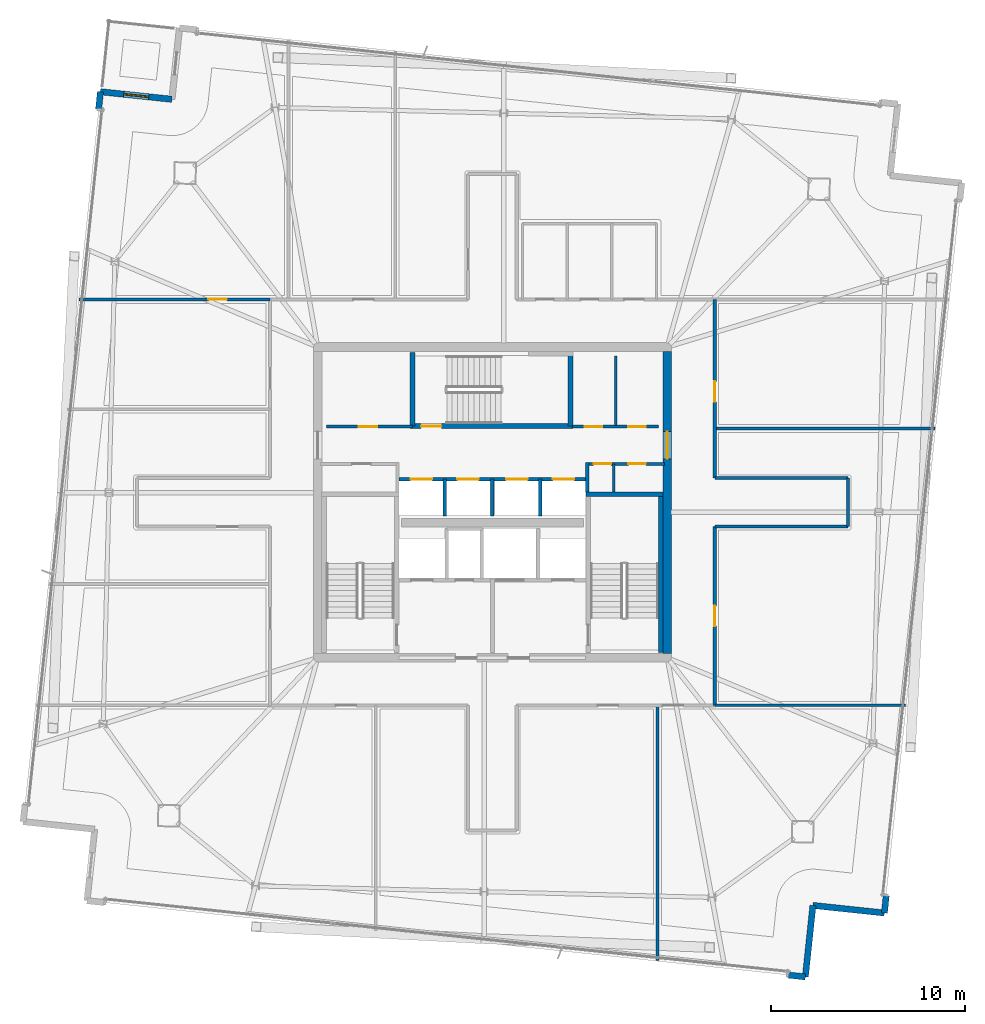
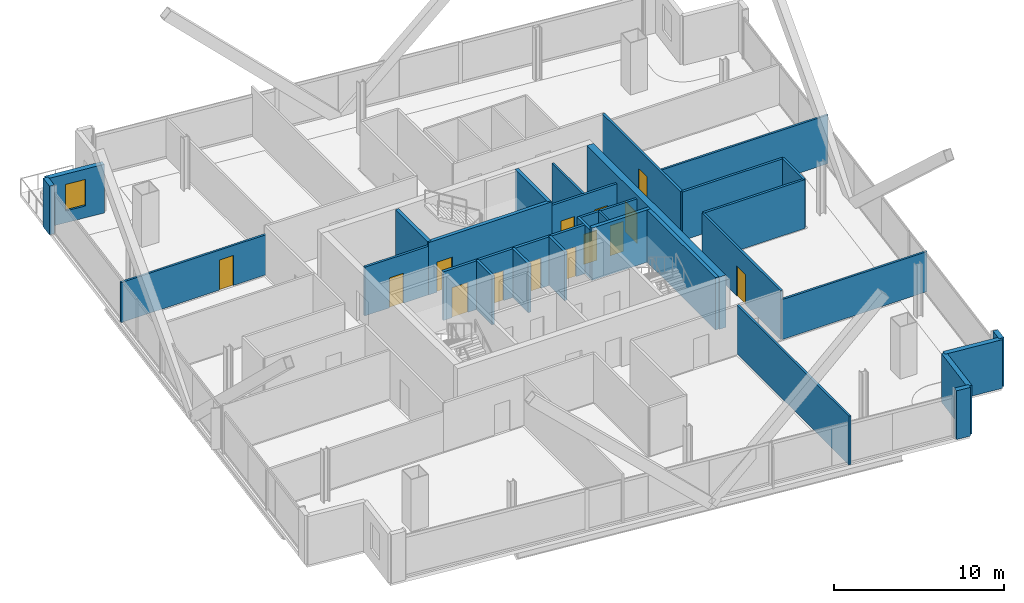
# One storey, part 20 of 24: 31 walls, 14 doors, 1 window, 15 openings.
"""IFC4 building model written with IfcOpenShell, lengths in metres."""

from ifc_helpers import new_model, si_unit, direction, frame, frame_2d, origin, place, context, subcontext, project, spatial, rectangle, extrude, material, layer, layer_set, type_object, element, fill, save


model = new_model("IFC4")

# Units and contexts
model_context = context("Model", 3, precision=1e-05, world=origin(), true_north=direction((0.0, 1.0)))
body_context = subcontext(model_context, "Body", "Model", "MODEL_VIEW")
ifc_project = project(units=[si_unit("LENGTHUNIT", "METRE"), si_unit("AREAUNIT", "SQUARE_METRE"), si_unit("VOLUMEUNIT", "CUBIC_METRE"), si_unit("PLANEANGLEUNIT", "RADIAN"), si_unit("MASSUNIT", "GRAM", prefix="KILO")], contexts=[model_context])

# Site, building, storey
site_placement = place(None, origin())
site = spatial("IfcSite", under=ifc_project, at=site_placement, CompositionType="ELEMENT")
building_placement = place(site_placement, origin())
building = spatial("IfcBuilding", under=site, at=building_placement, Name="Haldenkirk Collegiate Tower", CompositionType="ELEMENT")
storey_placement = place(building_placement, frame((0.0, 0.0, 310.199951171875)))
storey = spatial("IfcBuildingStorey", under=building, at=storey_placement, Name="L78", CompositionType="ELEMENT", Elevation=310.199951171875)

# Wall, opening, door
ifc_material_1 = material(Name="Concrete f'c 55 MPa", Category="concrete")
ifc_layer_1 = layer(ifc_material_1, 0.449951171875)
ifc_layer_set_1 = layer_set([ifc_layer_1], Name="Concrete f'c 55 MPa")
wall_type_1 = type_object("IfcWallType", Name="WL-CORE-450", PredefinedType="SHEAR", material=ifc_layer_set_1)
wall_1_placement = place(storey_placement, frame((45.0, 18.22509765625, 0.0), z_axis=(0.0, 0.0, 1.0), x_axis=(0.0, 1.0, 0.0)))
wall_1 = element("IfcWall", 1, at=wall_1_placement, inside=storey, type_object=wall_type_1, Name="L78 central core shear wall E", PredefinedType="SHEAR", context=body_context, shape_type="SweptSolid", body=[
    extrude(rectangle(XDim=15.5498046875, YDim=0.449951171875, at=frame_2d((7.77490234375, 0.0))), origin(), (0.0, 0.0, 1.0), 3.75),
])
opening_1_placement = place(wall_1_placement, frame((10.014892578125, 0.0, 0.0)))
opening_1 = element("IfcOpeningElement", 2, at=opening_1_placement, cuts=wall_1, Name="Opening D-03", PredefinedType="OPENING", context=body_context, shape_type="SweptSolid", body=[
    extrude(rectangle(XDim=1.39990234375, YDim=2.199951171875, at=frame_2d((0.699951171875, 1.10009765625))), frame((0.0, 0.23486328125, 0.0), z_axis=(0.0, -1.0, 0.0), x_axis=(1.0, 0.0, 0.0)), (0.0, 0.0, 1.0), 0.469970703125),
])
ifc_material_2 = material(Name="Galvanized fire-rated hollow steel door", Category="steel")
ifc_layer_2 = layer(ifc_material_2, 0.06005859375)
ifc_layer_set_2 = layer_set([ifc_layer_2], Name="Galvanized fire-rated hollow steel door")
door_type_1 = type_object("IfcDoorType", Name="DR-LOBBY-FD90-1400", OperationType="NOTDEFINED", PredefinedType="DOOR", material=ifc_layer_set_2)
door_1_placement = place(opening_1_placement, origin())
door_1 = element("IfcDoor", 3, at=door_1_placement, inside=storey, type_object=door_type_1, Name="L78 east lift lobby portal", OperationType="DOUBLE_DOOR_SINGLE_SWING", OverallHeight=2.199951171875, OverallWidth=1.39990234375, PredefinedType="DOOR", context=body_context, shape_type="SweptSolid", body=[
    extrude(rectangle(XDim=1.39990234375, YDim=2.199951171875, at=frame_2d((0.699951171875, 1.10009765625))), frame((0.0, 0.02490234375, 0.0), z_axis=(0.0, -1.0, 0.0), x_axis=(1.0, 0.0, 0.0)), (0.0, 0.0, 1.0), 0.050048828125),
])
fill(opening_1, door_1)

# Wall
ifc_material_3 = material(Name="Precast concrete f'c 40 MPa", Category="concrete")
ifc_layer_3 = layer(ifc_material_3, 0.320068359375)
ifc_layer_set_3 = layer_set([ifc_layer_3], Name="Precast concrete f'c 40 MPa")
wall_type_2 = type_object("IfcWallType", Name="WL-EXT-TWR-320", PredefinedType="STANDARD", material=ifc_layer_set_3)
wall_2_placement = place(storey_placement, frame((56.27880859375, 5.75, 0.0), z_axis=(0.0, 0.0, 1.0), x_axis=(-0.105517832198, -0.994417410894, 0.0)))
element("IfcWall", 4, at=wall_2_placement, inside=storey, type_object=wall_type_2, Name="L78 precast corner pier SR", PredefinedType="STANDARD", context=body_context, shape_type="SweptSolid", body=[
    extrude(rectangle(XDim=0.900146484375, YDim=0.320068359375, at=frame_2d((0.4501953125, 0.0))), origin(), (0.0, 0.0, 1.0), 3.489990234375),
])

# Wall, opening, window
wall_3_placement = place(storey_placement, frame((15.816162109375, 47.14501953125, 0.0), z_axis=(0.0, 0.0, 1.0), x_axis=(0.994432541402, -0.105375142235, 0.0)))
wall_3 = element("IfcWall", 5, at=wall_3_placement, inside=storey, type_object=wall_type_2, Name="L78 bronze precast notch wall 06", PredefinedType="STANDARD", context=body_context, shape_type="SweptSolid", body=[
    extrude(rectangle(XDim=3.699951171875, YDim=0.320068359375, at=frame_2d((1.85009765625, 0.0))), origin(), (0.0, 0.0, 1.0), 3.489990234375),
])
opening_2_placement = place(wall_3_placement, frame((1.199951171875, 0.0, 0.85009765625)))
opening_2 = element("IfcOpeningElement", 6, at=opening_2_placement, cuts=wall_3, Name="Opening W-08", PredefinedType="OPENING", context=body_context, shape_type="SweptSolid", body=[
    extrude(rectangle(XDim=1.300048828125, YDim=1.89990234375, at=frame_2d((0.64990234375, 0.949951171875))), frame((0.0, 0.169921875, 0.0), z_axis=(0.0, -1.0, 0.0), x_axis=(1.0, 0.0, 0.0)), (0.0, 0.0, 1.0), 0.340087890625),
])
ifc_material_4 = material(Name="Low-E argon triple insulating glass", Category="glass")
ifc_layer_4 = layer(ifc_material_4, 0.090087890625)
ifc_layer_set_4 = layer_set([ifc_layer_4], Name="Low-E argon triple insulating glass")
window_type = type_object("IfcWindowType", Name="WN-Z6-1300X1900", PartitioningType="SINGLE_PANEL", PredefinedType="WINDOW", material=ifc_layer_set_4)
window_placement = place(opening_2_placement, origin())
window = element("IfcWindow", 7, at=window_placement, inside=storey, type_object=window_type, Name="L78 precast-frame academic window 5", OverallHeight=1.89990234375, OverallWidth=1.300048828125, PartitioningType="SINGLE_PANEL", PredefinedType="WINDOW", context=body_context, shape_type="SweptSolid", body=[
    extrude(rectangle(XDim=1.300048828125, YDim=1.89990234375, at=frame_2d((0.64990234375, 0.949951171875))), frame((0.0, 0.030029296875, 0.0), z_axis=(0.0, -1.0, 0.0), x_axis=(1.0, 0.0, 0.0)), (0.0, 0.0, 1.0), 0.06005859375),
])
fill(opening_2, window)

# Walls
for number, where, z_axis, x_axis, name in (
    (8, (15.72119140625, 46.25, 0.0), (0.0, 0.0, 1.0), (0.105517832198, 0.994417410894, 0.0), "L78 precast corner pier NR"),
    (9, (52.114501953125, 1.5654296875, 0.0), (0.0, 0.0, 1.0), (-0.994417410894, 0.105517832198, 0.0), "L78 precast corner pier WL"),
):
    element("IfcWall", number, at=place(storey_placement, frame(where, z_axis=z_axis, x_axis=x_axis)), inside=storey, type_object=wall_type_2, Name=name, PredefinedType="STANDARD", context=body_context, shape_type="SweptSolid", body=[
        extrude(rectangle(XDim=0.900146484375, YDim=0.320068359375, at=frame_2d((0.4501953125, 0.0))), origin(), (0.0, 0.0, 1.0), 3.489990234375),
    ])
for number, where, z_axis, x_axis, name in (
    (10, (52.50439453125, 5.244873046875, 0.0), (0.0, 0.0, 1.0), (-0.105375142235, -0.994432541402, 0.0), "L78 bronze precast notch wall 11"),
    (11, (56.183837890625, 4.85498046875, 0.0), (0.0, 0.0, 1.0), (-0.994432541402, 0.105375142235, 0.0), "L78 bronze precast notch wall 12"),
):
    element("IfcWall", number, at=place(storey_placement, frame(where, z_axis=z_axis, x_axis=x_axis)), inside=storey, type_object=wall_type_2, Name=name, PredefinedType="STANDARD", context=body_context, shape_type="SweptSolid", body=[
        extrude(rectangle(XDim=3.699951171875, YDim=0.320068359375, at=frame_2d((1.85009765625, 0.0))), origin(), (0.0, 0.0, 1.0), 3.489990234375),
    ])

# Wall, openings, doors
ifc_material_5 = material(Name="Acoustic fire-rated gypsum partition", Category="concrete")
ifc_layer_5 = layer(ifc_material_5, 0.159912109375)
ifc_layer_set_5 = layer_set([ifc_layer_5], Name="Acoustic fire-rated gypsum partition")
wall_type_3 = type_object("IfcWallType", Name="WL-INT-CORR-160", PredefinedType="PARTITIONING", material=ifc_layer_set_5)
wall_4_placement = place(storey_placement, frame((40.800048828125, 27.97998046875, 0.0), z_axis=(0.0, 0.0, 1.0), x_axis=(1.0, 0.0, 0.0)))
wall_4 = element("IfcWall", 12, at=wall_4_placement, inside=storey, type_object=wall_type_3, Name="L78 interior partition IW-L78-VCSE-N", PredefinedType="PARTITIONING", context=body_context, shape_type="SweptSolid", body=[
    extrude(rectangle(XDim=4.050048828125, YDim=0.159912109375, at=frame_2d((2.02490234375, 0.0))), origin(), (0.0, 0.0, 1.0), 3.489990234375),
])
opening_3_placement = place(wall_4_placement, frame((0.407470703125, 0.0, 0.0)))
opening_3 = element("IfcOpeningElement", 13, at=opening_3_placement, cuts=wall_4, Name="Opening D-11", PredefinedType="OPENING", context=body_context, shape_type="SweptSolid", body=[
    extrude(rectangle(XDim=0.89990234375, YDim=2.14990234375, at=frame_2d((0.449951171875, 1.074951171875))), frame((0.0, 0.08984375, 0.0), z_axis=(0.0, -1.0, 0.0), x_axis=(1.0, 0.0, 0.0)), (0.0, 0.0, 1.0), 0.179931640625),
])
opening_4_placement = place(wall_4_placement, frame((2.199951171875, 0.0, 0.0)))
opening_4 = element("IfcOpeningElement", 14, at=opening_4_placement, cuts=wall_4, Name="Opening D-11", PredefinedType="OPENING", context=body_context, shape_type="SweptSolid", body=[
    extrude(rectangle(XDim=0.89990234375, YDim=2.14990234375, at=frame_2d((0.449951171875, 1.074951171875))), frame((0.0, 0.08984375, 0.0), z_axis=(0.0, -1.0, 0.0), x_axis=(1.0, 0.0, 0.0)), (0.0, 0.0, 1.0), 0.179931640625),
])
ifc_material_6 = material(Name="Solid-core architectural oak fire door", Category="wood")
ifc_layer_6 = layer(ifc_material_6, 0.06005859375)
ifc_layer_set_6 = layer_set([ifc_layer_6], Name="Solid-core architectural oak fire door")
door_type_2 = type_object("IfcDoorType", Name="DR-INT-FD60-900", OperationType="NOTDEFINED", PredefinedType="DOOR", material=ifc_layer_set_6)
door_2_placement = place(opening_3_placement, origin())
door_2 = element("IfcDoor", 15, at=door_2_placement, inside=storey, type_object=door_type_2, Name="L78 core copy room door", OperationType="SINGLE_SWING_LEFT", OverallHeight=2.14990234375, OverallWidth=0.89990234375, PredefinedType="DOOR", context=body_context, shape_type="SweptSolid", body=[
    extrude(rectangle(XDim=0.89990234375, YDim=2.14990234375, at=frame_2d((0.449951171875, 1.074951171875))), frame((0.0, 0.02490234375, 0.0), z_axis=(0.0, -1.0, 0.0), x_axis=(1.0, 0.0, 0.0)), (0.0, 0.0, 1.0), 0.050048828125),
])
fill(opening_3, door_2)
door_3_placement = place(opening_4_placement, origin())
door_3 = element("IfcDoor", 16, at=door_3_placement, inside=storey, type_object=door_type_2, Name="L78 core records store door", OperationType="SINGLE_SWING_RIGHT", OverallHeight=2.14990234375, OverallWidth=0.89990234375, PredefinedType="DOOR", context=body_context, shape_type="SweptSolid", body=[
    extrude(rectangle(XDim=0.89990234375, YDim=2.14990234375, at=frame_2d((0.449951171875, 1.074951171875))), frame((0.0, 0.02490234375, 0.0), z_axis=(0.0, -1.0, 0.0), x_axis=(1.0, 0.0, 0.0)), (0.0, 0.0, 1.0), 0.050048828125),
])
fill(opening_4, door_3)

# Wall
wall_5_placement = place(storey_placement, frame((40.8798828125, 26.5400390625, 0.0), z_axis=(0.0, 0.0, 1.0), x_axis=(0.0, 1.0, 0.0)))
element("IfcWall", 17, at=wall_5_placement, inside=storey, type_object=wall_type_3, Name="L78 interior partition IW-L78-VCSE-W", PredefinedType="PARTITIONING", context=body_context, shape_type="SweptSolid", body=[
    extrude(rectangle(XDim=1.510009765625, YDim=0.159912109375, at=frame_2d((0.7548828125, 0.0))), origin(), (0.0, 0.0, 1.0), 3.489990234375),
])

# Wall, opening, door
wall_6_placement = place(storey_placement, frame((27.449951171875, 29.89990234375, 0.0), z_axis=(0.0, 0.0, 1.0), x_axis=(1.0, 0.0, 0.0)))
wall_6 = element("IfcWall", 18, at=wall_6_placement, inside=storey, type_object=wall_type_3, Name="L78 interior partition IW-L78-PLS", PredefinedType="PARTITIONING", context=body_context, shape_type="SweptSolid", body=[
    extrude(rectangle(XDim=4.429931640625, YDim=0.159912109375, at=frame_2d((2.21484375, 0.0))), origin(), (0.0, 0.0, 1.0), 3.489990234375),
])
opening_5_placement = place(wall_6_placement, frame((1.675048828125, 0.0, 0.0)))
opening_5 = element("IfcOpeningElement", 19, at=opening_5_placement, cuts=wall_6, Name="Opening D-10", PredefinedType="OPENING", context=body_context, shape_type="SweptSolid", body=[
    extrude(rectangle(XDim=0.949951171875, YDim=2.14990234375, at=frame_2d((0.47509765625, 1.074951171875))), frame((0.0, 0.08984375, 0.0), z_axis=(0.0, -1.0, 0.0), x_axis=(1.0, 0.0, 0.0)), (0.0, 0.0, 1.0), 0.179931640625),
])
ifc_layer_7 = layer(ifc_material_6, 0.06005859375)
ifc_layer_set_7 = layer_set([ifc_layer_7], Name="Solid-core architectural oak fire door")
door_type_3 = type_object("IfcDoorType", Name="DR-INT-FD60-950", OperationType="NOTDEFINED", PredefinedType="DOOR", material=ifc_layer_set_7)
door_4_placement = place(opening_5_placement, origin())
door_4 = element("IfcDoor", 20, at=door_4_placement, inside=storey, type_object=door_type_3, Name="L78 archive door", OperationType="SINGLE_SWING_LEFT", OverallHeight=2.14990234375, OverallWidth=0.949951171875, PredefinedType="DOOR", context=body_context, shape_type="SweptSolid", body=[
    extrude(rectangle(XDim=0.949951171875, YDim=2.14990234375, at=frame_2d((0.47509765625, 1.074951171875))), frame((0.0, 0.02490234375, 0.0), z_axis=(0.0, -1.0, 0.0), x_axis=(1.0, 0.0, 0.0)), (0.0, 0.0, 1.0), 0.050048828125),
])
fill(opening_5, door_4)

# Wall, openings, doors
wall_7_placement = place(storey_placement, frame((40.1201171875, 29.89990234375, 0.0), z_axis=(0.0, 0.0, 1.0), x_axis=(1.0, 0.0, 0.0)))
wall_7 = element("IfcWall", 21, at=wall_7_placement, inside=storey, type_object=wall_type_3, Name="L78 interior partition IW-L78-PMS", PredefinedType="PARTITIONING", context=body_context, shape_type="SweptSolid", body=[
    extrude(rectangle(XDim=4.429931640625, YDim=0.159912109375, at=frame_2d((2.21484375, 0.0))), origin(), (0.0, 0.0, 1.0), 3.489990234375),
])
opening_6_placement = place(wall_7_placement, frame((0.6298828125, 0.0, 0.0)))
opening_6 = element("IfcOpeningElement", 22, at=opening_6_placement, cuts=wall_7, Name="Opening D-11", PredefinedType="OPENING", context=body_context, shape_type="SweptSolid", body=[
    extrude(rectangle(XDim=0.89990234375, YDim=2.14990234375, at=frame_2d((0.449951171875, 1.074951171875))), frame((0.0, 0.08984375, 0.0), z_axis=(0.0, -1.0, 0.0), x_axis=(1.0, 0.0, 0.0)), (0.0, 0.0, 1.0), 0.179931640625),
])
opening_7_placement = place(wall_7_placement, frame((2.8798828125, 0.0, 0.0)))
opening_7 = element("IfcOpeningElement", 23, at=opening_7_placement, cuts=wall_7, Name="Opening D-11", PredefinedType="OPENING", context=body_context, shape_type="SweptSolid", body=[
    extrude(rectangle(XDim=0.89990234375, YDim=2.14990234375, at=frame_2d((0.449951171875, 1.074951171875))), frame((0.0, 0.08984375, 0.0), z_axis=(0.0, -1.0, 0.0), x_axis=(1.0, 0.0, 0.0)), (0.0, 0.0, 1.0), 0.179931640625),
])
door_5_placement = place(opening_6_placement, origin())
door_5 = element("IfcDoor", 24, at=door_5_placement, inside=storey, type_object=door_type_2, Name="L78 staff WC door", OperationType="SINGLE_SWING_RIGHT", OverallHeight=2.14990234375, OverallWidth=0.89990234375, PredefinedType="DOOR", context=body_context, shape_type="SweptSolid", body=[
    extrude(rectangle(XDim=0.89990234375, YDim=2.14990234375, at=frame_2d((0.449951171875, 1.074951171875))), frame((0.0, 0.02490234375, 0.0), z_axis=(0.0, -1.0, 0.0), x_axis=(1.0, 0.0, 0.0)), (0.0, 0.0, 1.0), 0.050048828125),
])
fill(opening_6, door_5)
door_6_placement = place(opening_7_placement, origin())
door_6 = element("IfcDoor", 25, at=door_6_placement, inside=storey, type_object=door_type_2, Name="L78 seminar alcove door", OperationType="SINGLE_SWING_LEFT", OverallHeight=2.14990234375, OverallWidth=0.89990234375, PredefinedType="DOOR", context=body_context, shape_type="SweptSolid", body=[
    extrude(rectangle(XDim=0.89990234375, YDim=2.14990234375, at=frame_2d((0.449951171875, 1.074951171875))), frame((0.0, 0.02490234375, 0.0), z_axis=(0.0, -1.0, 0.0), x_axis=(1.0, 0.0, 0.0)), (0.0, 0.0, 1.0), 0.050048828125),
])
fill(opening_7, door_6)

# Wall, opening, door
wall_8_placement = place(storey_placement, frame((47.449951171875, 15.550048828125, 0.0), z_axis=(0.0, 0.0, 1.0), x_axis=(0.0, 1.0, 0.0)))
wall_8 = element("IfcWall", 26, at=wall_8_placement, inside=storey, type_object=wall_type_3, Name="L78 interior partition IW-L78-CE1", PredefinedType="PARTITIONING", context=body_context, shape_type="SweptSolid", body=[
    extrude(rectangle(XDim=9.199951171875, YDim=0.159912109375, at=frame_2d((4.60009765625, 0.0))), origin(), (0.0, 0.0, 1.0), 3.489990234375),
])
opening_8_placement = place(wall_8_placement, frame((4.074951171875, 0.0, 0.0)))
opening_8 = element("IfcOpeningElement", 27, at=opening_8_placement, cuts=wall_8, Name="Opening D-09", PredefinedType="OPENING", context=body_context, shape_type="SweptSolid", body=[
    extrude(rectangle(XDim=1.050048828125, YDim=2.14990234375, at=frame_2d((0.52490234375, 1.074951171875))), frame((0.0, 0.08984375, 0.0), z_axis=(0.0, -1.0, 0.0), x_axis=(1.0, 0.0, 0.0)), (0.0, 0.0, 1.0), 0.179931640625),
])
ifc_layer_8 = layer(ifc_material_6, 0.06005859375)
ifc_layer_set_8 = layer_set([ifc_layer_8], Name="Solid-core architectural oak fire door")
door_type_4 = type_object("IfcDoorType", Name="DR-INT-FD60-1050", OperationType="NOTDEFINED", PredefinedType="DOOR", material=ifc_layer_set_8)
door_7_placement = place(opening_8_placement, origin())
door_7 = element("IfcDoor", 28, at=door_7_placement, inside=storey, type_object=door_type_4, Name="L78 Graduate Seminar Room 10 door", OperationType="SINGLE_SWING_RIGHT", OverallHeight=2.14990234375, OverallWidth=1.050048828125, PredefinedType="DOOR", context=body_context, shape_type="SweptSolid", body=[
    extrude(rectangle(XDim=1.050048828125, YDim=2.14990234375, at=frame_2d((0.52490234375, 1.074951171875))), frame((0.0, 0.02490234375, 0.0), z_axis=(0.0, -1.0, 0.0), x_axis=(1.0, 0.0, 0.0)), (0.0, 0.0, 1.0), 0.050048828125),
])
fill(opening_8, door_7)

wall_9_placement = place(storey_placement, frame((47.449951171875, 27.25, 0.0), z_axis=(0.0, 0.0, 1.0), x_axis=(0.0, 1.0, 0.0)))
wall_9 = element("IfcWall", 29, at=wall_9_placement, inside=storey, type_object=wall_type_3, Name="L78 interior partition IW-L78-CE2", PredefinedType="PARTITIONING", context=body_context, shape_type="SweptSolid", body=[
    extrude(rectangle(XDim=9.199951171875, YDim=0.159912109375, at=frame_2d((4.60009765625, 0.0))), origin(), (0.0, 0.0, 1.0), 3.489990234375),
])
opening_9_placement = place(wall_9_placement, frame((3.927001953125, 0.0, 0.0)))
opening_9 = element("IfcOpeningElement", 30, at=opening_9_placement, cuts=wall_9, Name="Opening D-09", PredefinedType="OPENING", context=body_context, shape_type="SweptSolid", body=[
    extrude(rectangle(XDim=1.050048828125, YDim=2.14990234375, at=frame_2d((0.52490234375, 1.074951171875))), frame((0.0, 0.08984375, 0.0), z_axis=(0.0, -1.0, 0.0), x_axis=(1.0, 0.0, 0.0)), (0.0, 0.0, 1.0), 0.179931640625),
])
door_8_placement = place(opening_9_placement, origin())
door_8 = element("IfcDoor", 31, at=door_8_placement, inside=storey, type_object=door_type_4, Name="L78 Colloquium Conference Room 11 door", OperationType="SINGLE_SWING_LEFT", OverallHeight=2.14990234375, OverallWidth=1.050048828125, PredefinedType="DOOR", context=body_context, shape_type="SweptSolid", body=[
    extrude(rectangle(XDim=1.050048828125, YDim=2.14990234375, at=frame_2d((0.52490234375, 1.074951171875))), frame((0.0, 0.02490234375, 0.0), z_axis=(0.0, -1.0, 0.0), x_axis=(1.0, 0.0, 0.0)), (0.0, 0.0, 1.0), 0.050048828125),
])
fill(opening_9, door_8)

# Walls
for number, where, z_axis, x_axis, name in (
    (32, (47.449951171875, 24.75, 0.0), (0.0, 0.0, 1.0), (1.0, 0.0, 0.0), "L78 interior partition IW-L78-EPS"),
    (33, (47.449951171875, 27.25, 0.0), (0.0, 0.0, 1.0), (1.0, 0.0, 0.0), "L78 interior partition IW-L78-EPN"),
):
    element("IfcWall", number, at=place(storey_placement, frame(where, z_axis=z_axis, x_axis=x_axis)), inside=storey, type_object=wall_type_3, Name=name, PredefinedType="PARTITIONING", context=body_context, shape_type="SweptSolid", body=[
        extrude(rectangle(XDim=6.85009765625, YDim=0.159912109375, at=frame_2d((3.425048828125, 0.0))), origin(), (0.0, 0.0, 1.0), 3.489990234375),
    ])
wall_10_placement = place(storey_placement, frame((54.300048828125, 24.75, 0.0), z_axis=(0.0, 0.0, 1.0), x_axis=(0.0, 1.0, 0.0)))
element("IfcWall", 34, at=wall_10_placement, inside=storey, type_object=wall_type_3, Name="L78 interior partition IW-L78-EPE", PredefinedType="PARTITIONING", context=body_context, shape_type="SweptSolid", body=[
    extrude(rectangle(XDim=2.5, YDim=0.159912109375, at=frame_2d((1.25, 0.0))), origin(), (0.0, 0.0, 1.0), 3.489990234375),
])
ifc_layer_9 = layer(ifc_material_5, 0.139892578125)
ifc_layer_set_9 = layer_set([ifc_layer_9], Name="Acoustic fire-rated gypsum partition")
wall_type_4 = type_object("IfcWallType", Name="WL-INT-DIV-140", PredefinedType="PARTITIONING", material=ifc_layer_set_9)
wall_11_placement = place(storey_placement, frame((42.35009765625, 29.949951171875, 0.0), z_axis=(0.0, 0.0, 1.0), x_axis=(0.0, 1.0, 0.0)))
element("IfcWall", 35, at=wall_11_placement, inside=storey, type_object=wall_type_4, Name="L78 interior partition IW-L78-PMDIV", PredefinedType="PARTITIONING", context=body_context, shape_type="SweptSolid", body=[
    extrude(rectangle(XDim=3.60009765625, YDim=0.139892578125, at=frame_2d((1.800048828125, 0.0))), origin(), (0.0, 0.0, 1.0), 3.489990234375),
])

# Wall, opening, door
wall_12_placement = place(storey_placement, frame((14.722900390625, 36.449951171875, 0.0), z_axis=(0.0, 0.0, 1.0), x_axis=(1.0, 0.0, 0.0)))
wall_12 = element("IfcWall", 36, at=wall_12_placement, inside=storey, type_object=wall_type_4, Name="L78 interior partition IW-L78-BWN", PredefinedType="PARTITIONING", context=body_context, shape_type="SweptSolid", body=[
    extrude(rectangle(XDim=9.8271484375, YDim=0.139892578125, at=frame_2d((4.91357421875, 0.0))), origin(), (0.0, 0.0, 1.0), 2.8681640625),
])
opening_10_placement = place(wall_12_placement, frame((6.651123046875, 0.0, 0.0)))
opening_10 = element("IfcOpeningElement", 37, at=opening_10_placement, cuts=wall_12, Name="Opening D-12", PredefinedType="OPENING", context=body_context, shape_type="SweptSolid", body=[
    extrude(rectangle(XDim=0.949951171875, YDim=2.14990234375, at=frame_2d((0.47509765625, 1.074951171875))), frame((0.0, 0.079833984375, 0.0), z_axis=(0.0, -1.0, 0.0), x_axis=(1.0, 0.0, 0.0)), (0.0, 0.0, 1.0), 0.159912109375),
])
ifc_layer_10 = layer(ifc_material_6, 0.06005859375)
ifc_layer_set_10 = layer_set([ifc_layer_10], Name="Solid-core architectural oak fire door")
door_type_5 = type_object("IfcDoorType", Name="DR-INT-STD-950", OperationType="NOTDEFINED", PredefinedType="DOOR", material=ifc_layer_set_10)
door_9_placement = place(opening_10_placement, origin())
door_9 = element("IfcDoor", 38, at=door_9_placement, inside=storey, type_object=door_type_5, Name="L78 Graduate Seminar Room 4 door", OperationType="SINGLE_SWING_RIGHT", OverallHeight=2.14990234375, OverallWidth=0.949951171875, PredefinedType="DOOR", context=body_context, shape_type="SweptSolid", body=[
    extrude(rectangle(XDim=0.949951171875, YDim=2.14990234375, at=frame_2d((0.47509765625, 1.074951171875))), frame((0.0, 0.02490234375, 0.0), z_axis=(0.0, -1.0, 0.0), x_axis=(1.0, 0.0, 0.0)), (0.0, 0.0, 1.0), 0.050048828125),
])
fill(opening_10, door_9)

# Walls
wall_13_placement = place(storey_placement, frame((47.449951171875, 15.550048828125, 0.0), z_axis=(0.0, 0.0, 1.0), x_axis=(1.0, 0.0, 0.0)))
element("IfcWall", 39, at=wall_13_placement, inside=storey, type_object=wall_type_4, Name="L78 interior partition IW-L78-BES", PredefinedType="PARTITIONING", context=body_context, shape_type="SweptSolid", body=[
    extrude(rectangle(XDim=9.8271484375, YDim=0.139892578125, at=frame_2d((4.91357421875, 0.0))), origin(), (0.0, 0.0, 1.0), 2.8681640625),
])
wall_14_placement = place(storey_placement, frame((44.5, 2.41259765625, 0.0), z_axis=(0.0, 0.0, 1.0), x_axis=(0.0, 1.0, 0.0)))
element("IfcWall", 40, at=wall_14_placement, inside=storey, type_object=wall_type_4, Name="L78 interior partition IW-L78-RS2", PredefinedType="PARTITIONING", context=body_context, shape_type="SweptSolid", body=[
    extrude(rectangle(XDim=13.137451171875, YDim=0.139892578125, at=frame_2d((6.56884765625, 0.0))), origin(), (0.0, 0.0, 1.0), 3.489990234375),
])
wall_15_placement = place(storey_placement, frame((47.449951171875, 29.800048828125, 0.0), z_axis=(0.0, 0.0, 1.0), x_axis=(1.0, 0.0, 0.0)))
element("IfcWall", 41, at=wall_15_placement, inside=storey, type_object=wall_type_4, Name="L78 interior partition IW-L78-RE1", PredefinedType="PARTITIONING", context=body_context, shape_type="SweptSolid", body=[
    extrude(rectangle(XDim=11.33740234375, YDim=0.139892578125, at=frame_2d((5.668701171875, 0.0))), origin(), (0.0, 0.0, 1.0), 3.489990234375),
])

# Wall, openings, doors
ifc_material_7 = material(Name="Fire-rated gypsum shaftboard assembly", Category="concrete")
ifc_layer_11 = layer(ifc_material_7, 0.179931640625)
ifc_layer_set_11 = layer_set([ifc_layer_11], Name="Fire-rated gypsum shaftboard assembly")
wall_type_5 = type_object("IfcWallType", Name="WL-INT-SHAFT-180", PredefinedType="PARTITIONING", material=ifc_layer_set_11)
wall_16_placement = place(storey_placement, frame((31.199951171875, 27.199951171875, 0.0), z_axis=(0.0, 0.0, 1.0), x_axis=(1.0, 0.0, 0.0)))
wall_16 = element("IfcWall", 42, at=wall_16_placement, inside=storey, type_object=wall_type_5, Name="L78 interior partition IW-L78-PHN", PredefinedType="PARTITIONING", context=body_context, shape_type="SweptSolid", body=[
    extrude(rectangle(XDim=9.60009765625, YDim=0.179931640625, at=frame_2d((4.800048828125, 0.0))), origin(), (0.0, 0.0, 1.0), 3.489990234375),
])
opening_11_placement = place(wall_16_placement, frame((0.590087890625, 0.0, 0.0)))
opening_11 = element("IfcOpeningElement", 43, at=opening_11_placement, cuts=wall_16, Name="Opening LD-11", PredefinedType="OPENING", context=body_context, shape_type="SweptSolid", body=[
    extrude(rectangle(XDim=1.10009765625, YDim=2.14990234375, at=frame_2d((0.550048828125, 1.074951171875))), frame((0.0, 0.099853515625, 0.0), z_axis=(0.0, -1.0, 0.0), x_axis=(1.0, 0.0, 0.0)), (0.0, 0.0, 1.0), 0.199951171875),
])
opening_12_placement = place(wall_16_placement, frame((2.989990234375, 0.0, 0.0)))
opening_12 = element("IfcOpeningElement", 44, at=opening_12_placement, cuts=wall_16, Name="Opening LD-11", PredefinedType="OPENING", context=body_context, shape_type="SweptSolid", body=[
    extrude(rectangle(XDim=1.10009765625, YDim=2.14990234375, at=frame_2d((0.550048828125, 1.074951171875))), frame((0.0, 0.099853515625, 0.0), z_axis=(0.0, -1.0, 0.0), x_axis=(1.0, 0.0, 0.0)), (0.0, 0.0, 1.0), 0.199951171875),
])
opening_13_placement = place(wall_16_placement, frame((5.510009765625, 0.0, 0.0)))
opening_13 = element("IfcOpeningElement", 45, at=opening_13_placement, cuts=wall_16, Name="Opening LD-11", PredefinedType="OPENING", context=body_context, shape_type="SweptSolid", body=[
    extrude(rectangle(XDim=1.10009765625, YDim=2.14990234375, at=frame_2d((0.550048828125, 1.074951171875))), frame((0.0, 0.099853515625, 0.0), z_axis=(0.0, -1.0, 0.0), x_axis=(1.0, 0.0, 0.0)), (0.0, 0.0, 1.0), 0.199951171875),
])
opening_14_placement = place(wall_16_placement, frame((7.909912109375, 0.0, 0.0)))
opening_14 = element("IfcOpeningElement", 46, at=opening_14_placement, cuts=wall_16, Name="Opening LD-11", PredefinedType="OPENING", context=body_context, shape_type="SweptSolid", body=[
    extrude(rectangle(XDim=1.10009765625, YDim=2.14990234375, at=frame_2d((0.550048828125, 1.074951171875))), frame((0.0, 0.099853515625, 0.0), z_axis=(0.0, -1.0, 0.0), x_axis=(1.0, 0.0, 0.0)), (0.0, 0.0, 1.0), 0.199951171875),
])
ifc_material_8 = material(Name="Brushed architectural stainless steel", Category="steel")
ifc_layer_12 = layer(ifc_material_8, 0.06005859375)
ifc_layer_set_12 = layer_set([ifc_layer_12], Name="Brushed architectural stainless steel")
door_type_6 = type_object("IfcDoorType", Name="LD-PASS-1100", OperationType="NOTDEFINED", PredefinedType="DOOR", material=ifc_layer_set_12)
door_10_placement = place(opening_11_placement, origin())
door_10 = element("IfcDoor", 47, at=door_10_placement, inside=storey, type_object=door_type_6, Name="L78 Elevator PH1 sliding landing door", OperationType="SLIDING_TO_LEFT", OverallHeight=2.14990234375, OverallWidth=1.10009765625, PredefinedType="DOOR", context=body_context, shape_type="SweptSolid", body=[
    extrude(rectangle(XDim=1.10009765625, YDim=2.14990234375, at=frame_2d((0.550048828125, 1.074951171875))), frame((0.0, 0.02490234375, 0.0), z_axis=(0.0, -1.0, 0.0), x_axis=(1.0, 0.0, 0.0)), (0.0, 0.0, 1.0), 0.050048828125),
])
fill(opening_11, door_10)
door_11_placement = place(opening_12_placement, origin())
door_11 = element("IfcDoor", 48, at=door_11_placement, inside=storey, type_object=door_type_6, Name="L78 Elevator PH2 sliding landing door", OperationType="SLIDING_TO_LEFT", OverallHeight=2.14990234375, OverallWidth=1.10009765625, PredefinedType="DOOR", context=body_context, shape_type="SweptSolid", body=[
    extrude(rectangle(XDim=1.10009765625, YDim=2.14990234375, at=frame_2d((0.550048828125, 1.074951171875))), frame((0.0, 0.02490234375, 0.0), z_axis=(0.0, -1.0, 0.0), x_axis=(1.0, 0.0, 0.0)), (0.0, 0.0, 1.0), 0.050048828125),
])
fill(opening_12, door_11)
door_12_placement = place(opening_13_placement, origin())
door_12 = element("IfcDoor", 49, at=door_12_placement, inside=storey, type_object=door_type_6, Name="L78 Elevator PH3 sliding landing door", OperationType="SLIDING_TO_LEFT", OverallHeight=2.14990234375, OverallWidth=1.10009765625, PredefinedType="DOOR", context=body_context, shape_type="SweptSolid", body=[
    extrude(rectangle(XDim=1.10009765625, YDim=2.14990234375, at=frame_2d((0.550048828125, 1.074951171875))), frame((0.0, 0.02490234375, 0.0), z_axis=(0.0, -1.0, 0.0), x_axis=(1.0, 0.0, 0.0)), (0.0, 0.0, 1.0), 0.050048828125),
])
fill(opening_13, door_12)
door_13_placement = place(opening_14_placement, origin())
door_13 = element("IfcDoor", 50, at=door_13_placement, inside=storey, type_object=door_type_6, Name="L78 Elevator PH4 sliding landing door", OperationType="SLIDING_TO_LEFT", OverallHeight=2.14990234375, OverallWidth=1.10009765625, PredefinedType="DOOR", context=body_context, shape_type="SweptSolid", body=[
    extrude(rectangle(XDim=1.10009765625, YDim=2.14990234375, at=frame_2d((0.550048828125, 1.074951171875))), frame((0.0, 0.02490234375, 0.0), z_axis=(0.0, -1.0, 0.0), x_axis=(1.0, 0.0, 0.0)), (0.0, 0.0, 1.0), 0.050048828125),
])
fill(opening_14, door_13)

# Walls
for number, where, z_axis, x_axis, name in (
    (51, (33.5400390625, 25.300048828125, 0.0), (0.0, 0.0, 1.0), (0.0, 1.0, 0.0), "L78 interior partition IW-L78-PHV1"),
    (52, (36.0, 25.300048828125, 0.0), (0.0, 0.0, 1.0), (0.0, 1.0, 0.0), "L78 interior partition IW-L78-PHV2"),
    (53, (38.4599609375, 25.300048828125, 0.0), (0.0, 0.0, 1.0), (0.0, 1.0, 0.0), "L78 interior partition IW-L78-PHV3"),
):
    element("IfcWall", number, at=place(storey_placement, frame(where, z_axis=z_axis, x_axis=x_axis)), inside=storey, type_object=wall_type_5, Name=name, PredefinedType="PARTITIONING", context=body_context, shape_type="SweptSolid", body=[
        extrude(rectangle(XDim=1.89990234375, YDim=0.179931640625, at=frame_2d((0.949951171875, 0.0))), origin(), (0.0, 0.0, 1.0), 3.489990234375),
    ])
ifc_layer_13 = layer(ifc_material_5, 0.1201171875)
ifc_layer_set_13 = layer_set([ifc_layer_13], Name="Acoustic fire-rated gypsum partition")
wall_type_6 = type_object("IfcWallType", Name="WL-INT-WET-120", PredefinedType="PARTITIONING", material=ifc_layer_set_13)
wall_17_placement = place(storey_placement, frame((42.25, 26.5400390625, 0.0), z_axis=(0.0, 0.0, 1.0), x_axis=(0.0, 1.0, 0.0)))
element("IfcWall", 54, at=wall_17_placement, inside=storey, type_object=wall_type_6, Name="L78 interior partition IW-L78-VCSE-M", PredefinedType="PARTITIONING", context=body_context, shape_type="SweptSolid", body=[
    extrude(rectangle(XDim=1.43994140625, YDim=0.1201171875, at=frame_2d((0.719970703125, 0.0))), origin(), (0.0, 0.0, 1.0), 3.489990234375),
])
ifc_layer_14 = layer(ifc_material_1, 0.239990234375)
ifc_layer_set_14 = layer_set([ifc_layer_14], Name="Concrete f'c 55 MPa")
wall_type_7 = type_object("IfcWallType", Name="WL-SHAFT-240", PredefinedType="SHEAR", material=ifc_layer_set_14)
wall_18_placement = place(storey_placement, frame((40.81005859375, 26.419921875, 0.0), z_axis=(0.0, 0.0, 1.0), x_axis=(1.0, 0.0, 0.0)))
element("IfcWall", 55, at=wall_18_placement, inside=storey, type_object=wall_type_7, Name="L78 stair shaft shear wall SW-L78-ST2N", PredefinedType="SHEAR", context=body_context, shape_type="SweptSolid", body=[
    extrude(rectangle(XDim=3.97998046875, YDim=0.239990234375, at=frame_2d((1.989990234375, 0.0))), origin(), (0.0, 0.0, 1.0), 3.75),
])
wall_19_placement = place(storey_placement, frame((44.669921875, 18.280029296875, 0.0), z_axis=(0.0, 0.0, 1.0), x_axis=(0.0, 1.0, 0.0)))
element("IfcWall", 56, at=wall_19_placement, inside=storey, type_object=wall_type_7, Name="L78 stair shaft shear wall SW-L78-ST2E", PredefinedType="SHEAR", context=body_context, shape_type="SweptSolid", body=[
    extrude(rectangle(XDim=8.260009765625, YDim=0.239990234375, at=frame_2d((4.1298828125, 0.0))), origin(), (0.0, 0.0, 1.0), 3.75),
])

# Wall, opening, door
wall_20_placement = place(storey_placement, frame((31.760009765625, 29.929931640625, 0.0), z_axis=(0.0, 0.0, 1.0), x_axis=(1.0, 0.0, 0.0)))
wall_20 = element("IfcWall", 57, at=wall_20_placement, inside=storey, type_object=wall_type_7, Name="L78 stair shaft shear wall SW-L78-ST3S", PredefinedType="SHEAR", context=body_context, shape_type="SweptSolid", body=[
    extrude(rectangle(XDim=8.3798828125, YDim=0.239990234375, at=frame_2d((4.18994140625, 0.0))), origin(), (0.0, 0.0, 1.0), 3.75),
])
opening_15_placement = place(wall_20_placement, frame((0.56494140625, 0.0, 0.0)))
opening_15 = element("IfcOpeningElement", 58, at=opening_15_placement, cuts=wall_20, Name="Opening D-01", PredefinedType="OPENING", context=body_context, shape_type="SweptSolid", body=[
    extrude(rectangle(XDim=1.050048828125, YDim=2.14990234375, at=frame_2d((0.52490234375, 1.074951171875))), frame((0.0, 0.1298828125, 0.0), z_axis=(0.0, -1.0, 0.0), x_axis=(1.0, 0.0, 0.0)), (0.0, 0.0, 1.0), 0.260009765625),
])
ifc_layer_15 = layer(ifc_material_2, 0.06005859375)
ifc_layer_set_15 = layer_set([ifc_layer_15], Name="Galvanized fire-rated hollow steel door")
door_type_7 = type_object("IfcDoorType", Name="DR-STAIR-FD90-1050", OperationType="NOTDEFINED", PredefinedType="DOOR", material=ifc_layer_set_15)
door_14_placement = place(opening_15_placement, origin())
door_14 = element("IfcDoor", 59, at=door_14_placement, inside=storey, type_object=door_type_7, Name="L78 lift lobby Stair 3 door", OperationType="SINGLE_SWING_RIGHT", OverallHeight=2.14990234375, OverallWidth=1.050048828125, PredefinedType="DOOR", context=body_context, shape_type="SweptSolid", body=[
    extrude(rectangle(XDim=1.050048828125, YDim=2.14990234375, at=frame_2d((0.52490234375, 1.074951171875))), frame((0.0, 0.02490234375, 0.0), z_axis=(0.0, -1.0, 0.0), x_axis=(1.0, 0.0, 0.0)), (0.0, 0.0, 1.0), 0.050048828125),
])
fill(opening_15, door_14)

# Walls
wall_21_placement = place(storey_placement, frame((31.8798828125, 29.929931640625, 0.0), z_axis=(0.0, 0.0, 1.0), x_axis=(0.0, 1.0, 0.0)))
element("IfcWall", 60, at=wall_21_placement, inside=storey, type_object=wall_type_7, Name="L78 stair shaft shear wall SW-L78-ST3W", PredefinedType="SHEAR", context=body_context, shape_type="SweptSolid", body=[
    extrude(rectangle(XDim=3.7900390625, YDim=0.239990234375, at=frame_2d((1.89501953125, 0.0))), origin(), (0.0, 0.0, 1.0), 3.75),
])
wall_22_placement = place(storey_placement, frame((40.02001953125, 29.929931640625, 0.0), z_axis=(0.0, 0.0, 1.0), x_axis=(0.0, 1.0, 0.0)))
element("IfcWall", 61, at=wall_22_placement, inside=storey, type_object=wall_type_7, Name="L78 stair shaft shear wall SW-L78-ST3E", PredefinedType="SHEAR", context=body_context, shape_type="SweptSolid", body=[
    extrude(rectangle(XDim=3.85009765625, YDim=0.239990234375, at=frame_2d((1.925048828125, 0.0))), origin(), (0.0, 0.0, 1.0), 3.75),
])

save(model, "model.ifc")
